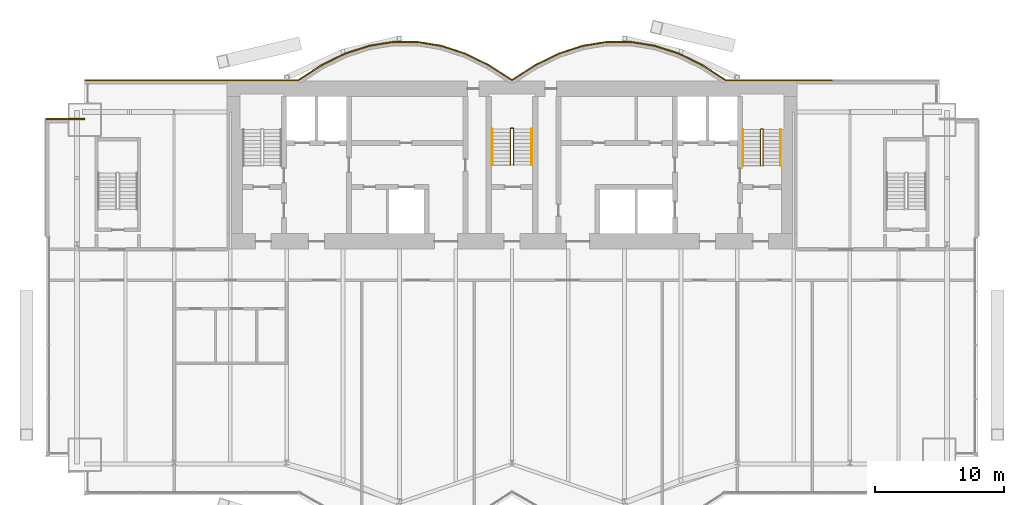
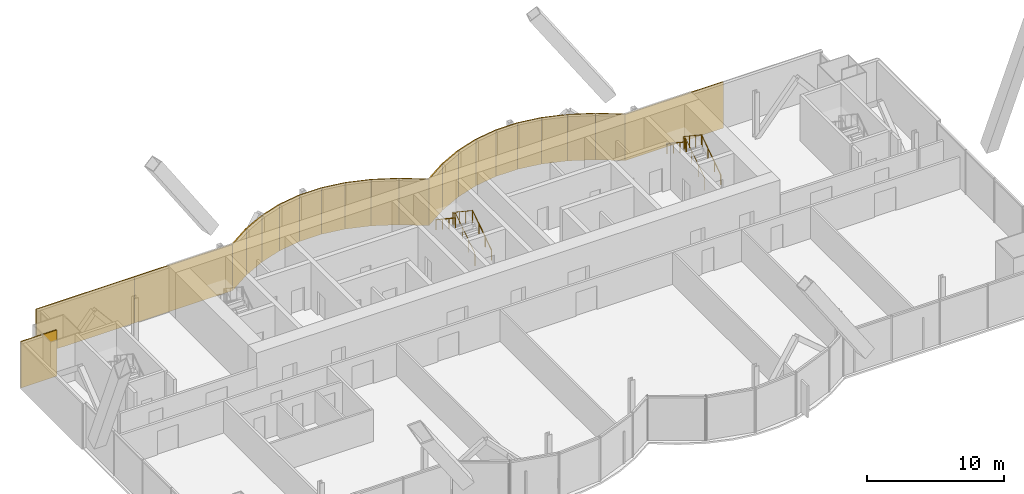
# One storey, part 23 of 24: 22 coverings, 6 railings.
"""IFC4 building model written with IfcOpenShell, lengths in metres."""

import ifcopenshell
import ifcopenshell.guid

model = None  # the IFC model being written
_history = None  # IfcOwnerHistory: only IFC2X3 demands one
_inside = {}  # id of a spatial element -> (the spatial element, [elements in it])
_under = {}  # id of a project, library or spatial element -> (it, [spatial elements below it])
_declared = {}  # id of a project -> (the project, [libraries it declares])
_typed = {}  # id of a type object -> (the type object, [elements of that type])
_made_of = {}  # id of a material, layer set ... -> (it, [elements and type objects made of it])


def new_model(schema):
    """Start an empty IFC model of exactly this schema.

    Asked for "IFC4X3", IfcOpenShell would pick the latest addendum, in which some entities
    have other attributes; the version numbers below select the first issue.
    IFC2X3 requires an IfcOwnerHistory on every rooted entity: one is made here for all.
    """
    global model, _history
    if schema == "IFC4X3":
        model = ifcopenshell.file(schema_version=(4, 3, 0, 0))
    else:
        model = ifcopenshell.file(schema=schema)
    _inside.clear()
    _under.clear()
    _declared.clear()
    _typed.clear()
    _made_of.clear()
    _history = None
    if model.schema == "IFC2X3":
        org = make("IfcOrganization", Name="unknown")
        user = make(
            "IfcPersonAndOrganization",
            ThePerson=make("IfcPerson", FamilyName="unknown"),
            TheOrganization=org,
        )
        app = make(
            "IfcApplication",
            ApplicationDeveloper=org,
            Version="unknown",
            ApplicationFullName="unknown",
            ApplicationIdentifier="unknown",
        )
        _history = make(
            "IfcOwnerHistory",
            OwningUser=user,
            OwningApplication=app,
            ChangeAction="ADDED",
            CreationDate=0,
        )
    return model


def make(cls, **values):
    """One entity of the class cls with the attributes given. An attribute that is None is left unset."""
    return model.create_entity(
        cls, **{name: value for name, value in values.items() if value is not None}
    )


def rooted(cls, **values):
    """An entity with a GlobalId (a new one), such as an element, a storey or a relation."""
    return make(cls, GlobalId=ifcopenshell.guid.new(), OwnerHistory=_history, **values)


def si_unit(unit_type, name, prefix=None):
    """IfcSIUnit, for example si_unit("LENGTHUNIT", "METRE", prefix="MILLI")."""
    return make("IfcSIUnit", UnitType=unit_type, Prefix=prefix, Name=name)


def assignment(units):
    """IfcUnitAssignment: the units of a project."""
    return None if units is None else make("IfcUnitAssignment", Units=units)


def point(xyz):
    """IfcCartesianPoint."""
    return None if xyz is None else make("IfcCartesianPoint", Coordinates=xyz)


def direction(xyz):
    """IfcDirection."""
    return None if xyz is None else make("IfcDirection", DirectionRatios=xyz)


def frame(location, z_axis=None, x_axis=None):
    """IfcAxis2Placement3D, a coordinate frame: its origin and axes. An axis left out is left unset."""
    return make(
        "IfcAxis2Placement3D",
        Location=point(location),
        Axis=direction(z_axis),
        RefDirection=direction(x_axis),
    )


def frame_2d(location, x_axis=None):
    """IfcAxis2Placement2D, a coordinate frame in the plane: its origin and x axis."""
    return make(
        "IfcAxis2Placement2D", Location=point(location), RefDirection=direction(x_axis)
    )


def origin():
    """The frame at (0, 0, 0) with its axes left unset."""
    return frame((0.0, 0.0, 0.0))


def origin_2d():
    """The frame at (0, 0) in the plane with its x axis left unset."""
    return frame_2d((0.0, 0.0))


def place(relative_to, where):
    """IfcLocalPlacement: puts the frame where relative to a parent placement (None: the world)."""
    return make(
        "IfcLocalPlacement", PlacementRelTo=relative_to, RelativePlacement=where
    )


def context(
    kind, dimensions, precision=None, world=None, true_north=None, identifier=None
):
    """IfcGeometricRepresentationContext, for example the 3D "Model" context."""
    return make(
        "IfcGeometricRepresentationContext",
        ContextIdentifier=identifier,
        ContextType=kind,
        CoordinateSpaceDimension=dimensions,
        Precision=precision,
        WorldCoordinateSystem=world,
        TrueNorth=true_north,
    )


def subcontext(parent, identifier, kind, view, scale=None):
    """IfcGeometricRepresentationSubContext, for example "Body" below "Model"."""
    return make(
        "IfcGeometricRepresentationSubContext",
        ContextIdentifier=identifier,
        ContextType=kind,
        ParentContext=parent,
        TargetScale=scale,
        TargetView=view,
    )


def project(units=None, contexts=None):
    """IfcProject with its units and contexts."""
    return rooted(
        "IfcProject",
        Name="project",
        RepresentationContexts=contexts,
        UnitsInContext=assignment(units),
    )


def spatial(cls, under=None, at=None, **own):
    """A site, building, storey or space (cls), placed at a placement, below another one or the project."""
    s = rooted(cls, ObjectPlacement=at, **own)
    if under is not None:
        _under.setdefault(under.id(), (under, []))[1].append(s)
    return s


def profile(cls, at=None, kind="AREA", **sizes):
    """A parametric profile (cls). Its sizes go by their IFC names, for example OverallWidth=200.0."""
    return make(cls, ProfileType=kind, Position=at, **sizes)


def rectangle(**sizes):
    """IfcRectangleProfileDef."""
    return profile("IfcRectangleProfileDef", **sizes)


def circle(**sizes):
    """IfcCircleProfileDef."""
    return profile("IfcCircleProfileDef", **sizes)


def extrude(swept, where, along, depth):
    """IfcExtrudedAreaSolid: the profile swept, set in the frame where, extruded along a direction by depth."""
    return make(
        "IfcExtrudedAreaSolid",
        SweptArea=swept,
        Position=where,
        ExtrudedDirection=direction(along),
        Depth=depth,
    )


def shape(context_of_items, identifier, shape_type, items):
    """IfcShapeRepresentation: the items that make up one representation, for example the "Body"."""
    return make(
        "IfcShapeRepresentation",
        ContextOfItems=context_of_items,
        RepresentationIdentifier=identifier,
        RepresentationType=shape_type,
        Items=items,
    )


def material(Name=None, Category=None):
    """IfcMaterial."""
    return make("IfcMaterial", Name=Name, Category=Category)


def layer(
    of_material, thickness, ventilated=None, Name=None, Category=None, Priority=None
):
    """IfcMaterialLayer: one layer of a wall or slab, of a material (None: an air gap)."""
    return make(
        "IfcMaterialLayer",
        Material=of_material,
        LayerThickness=thickness,
        IsVentilated=ventilated,
        Name=Name,
        Category=Category,
        Priority=Priority,
    )


def layer_set(layers, Name=None):
    """IfcMaterialLayerSet."""
    return make("IfcMaterialLayerSet", MaterialLayers=layers, LayerSetName=Name)


def made_of(thing, what):
    """Note that an element or type object is made of a material, layer set ...; save() writes the relation."""
    if what is not None:
        _made_of.setdefault(what.id(), (what, []))[1].append(thing)
    return thing


def type_object(cls, material=None, **own):
    """A type object (cls), such as IfcWallType, which elements share."""
    return made_of(rooted(cls, **own), material)


def element(
    cls,
    number,
    at=None,
    inside=None,
    cuts=None,
    type_object=None,
    material=None,
    context=None,
    identifier="Body",
    shape_type=None,
    held_by="IfcProductDefinitionShape",
    body=None,
    shapes=None,
    **own,
):
    """One element of the class cls, such as IfcWall. Its Tag is "e" and its number.

    at: its placement. inside: the storey or other place that contains it. cuts: it is an
    opening in that element (IfcRelVoidsElement). A single representation is given by context,
    identifier, shape_type and body (its items); several are given by shapes. held_by: the class
    of the entity that holds the representations. save() writes the other relations.
    """
    e = rooted(cls, Tag="e%d" % number, ObjectPlacement=at, **own)
    if body is not None:
        shapes = [shape(context, identifier, shape_type, body)]
    if shapes is not None:
        e.Representation = make(held_by, Representations=shapes)
    if inside is not None:
        _inside.setdefault(inside.id(), (inside, []))[1].append(e)
    if cuts is not None:
        rooted(
            "IfcRelVoidsElement", RelatingBuildingElement=cuts, RelatedOpeningElement=e
        )
    if type_object is not None:
        _typed.setdefault(type_object.id(), (type_object, []))[1].append(e)
    return made_of(e, material)


def aggregate(whole, parts):
    """IfcRelAggregates: a whole, such as a stair, and the parts it consists of."""
    return rooted("IfcRelAggregates", RelatingObject=whole, RelatedObjects=parts)


def save(model, path):
    """Write the relations noted so far, then the file.

    IfcRelAggregates (storeys below a building ...), IfcRelContainedInSpatialStructure (elements
    in a storey), IfcRelDefinesByType, IfcRelAssociatesMaterial and IfcRelDeclares: one each for
    every whole, place, type object, material and project.
    """
    for whole, parts in _under.values():
        aggregate(whole, parts)
    for where, things in _inside.values():
        rooted(
            "IfcRelContainedInSpatialStructure",
            RelatedElements=things,
            RelatingStructure=where,
        )
    for kind, things in _typed.values():
        rooted("IfcRelDefinesByType", RelatedObjects=things, RelatingType=kind)
    for what, things in _made_of.values():
        rooted("IfcRelAssociatesMaterial", RelatedObjects=things, RelatingMaterial=what)
    for by, libraries in _declared.values():
        rooted("IfcRelDeclares", RelatingContext=by, RelatedDefinitions=libraries)
    model.write(path)


model = new_model("IFC4")

# Units and contexts
model_context = context("Model", 3, precision=1e-05, world=origin(), true_north=direction((0.0, 1.0)))
body_context = subcontext(model_context, "Body", "Model", "MODEL_VIEW")
ifc_project = project(units=[si_unit("LENGTHUNIT", "METRE"), si_unit("AREAUNIT", "SQUARE_METRE"), si_unit("VOLUMEUNIT", "CUBIC_METRE"), si_unit("PLANEANGLEUNIT", "RADIAN"), si_unit("MASSUNIT", "GRAM", prefix="KILO")], contexts=[model_context])

# Site, building, storey
site_placement = place(None, origin())
site = spatial("IfcSite", under=ifc_project, at=site_placement, CompositionType="ELEMENT")
building_placement = place(site_placement, origin())
building = spatial("IfcBuilding", under=site, at=building_placement, Name="Bicima Exchange Tower", CompositionType="ELEMENT")
storey_placement = place(building_placement, frame((0.0, 0.0, 211.39990234375)))
storey = spatial("IfcBuildingStorey", under=building, at=storey_placement, Name="L47", CompositionType="ELEMENT", Elevation=211.39990234375)

# Coverings
ifc_material_1 = material(Name="Bronze metal cladding")
ifc_layer_1 = layer(ifc_material_1, 0.004)
ifc_material_2 = material(Name="Ventilated cavity")
ifc_layer_2 = layer(ifc_material_2, 0.06)
ifc_material_3 = material(Name="Galvanised steel rail and mineral wool", Category="steel")
ifc_layer_3 = layer(ifc_material_3, 0.036)
ifc_layer_set = layer_set([ifc_layer_1, ifc_layer_2, ifc_layer_3], Name="Ventilated cavity")
covering_type = type_object("IfcCoveringType", Name="Bronze metal cladding panel 100", PredefinedType="CLADDING", material=ifc_layer_set)
covering_1_placement = place(storey_placement, frame((20.625, 0.050048828125, -0.14990234375), z_axis=(0.0, 0.0, 1.0), x_axis=(-1.0, 0.0, 0.0)))
element("IfcCovering", 1, at=covering_1_placement, inside=storey, type_object=covering_type, Name="Bronze cladding L47 1.2", PredefinedType="CLADDING", context=body_context, shape_type="SweptSolid", body=[
    extrude(rectangle(XDim=8.25, YDim=0.10009765625, at=origin_2d()), origin(), (0.0, 0.0, 1.0), 4.10009765625),
])
covering_2_placement = place(storey_placement, frame((15.610595703125, 0.634521484375, -0.14990234375), z_axis=(0.0, 0.0, 1.0), x_axis=(-0.839790466384, 0.542910648791, 0.0)))
element("IfcCovering", 2, at=covering_2_placement, inside=storey, type_object=covering_type, Name="Bronze cladding L47 2.1", PredefinedType="CLADDING", context=body_context, shape_type="SweptSolid", body=[
    extrude(rectangle(XDim=2.18310546875, YDim=0.10009765625, at=origin_2d()), origin(), (0.0, 0.0, 1.0), 4.10009765625),
])
covering_3_placement = place(storey_placement, frame((13.771728515625, 1.674560546875, -0.14990234375), z_axis=(0.0, 0.0, 1.0), x_axis=(-0.899818346812, 0.436264762204, 0.0)))
element("IfcCovering", 3, at=covering_3_placement, inside=storey, type_object=covering_type, Name="Bronze cladding L47 3.1", PredefinedType="CLADDING", context=body_context, shape_type="SweptSolid", body=[
    extrude(rectangle(XDim=2.03759765625, YDim=0.10009765625, at=origin_2d()), origin(), (0.0, 0.0, 1.0), 4.10009765625),
])
covering_4_placement = place(storey_placement, frame((11.931884765625, 2.41796875, -0.14990234375), z_axis=(0.0, 0.0, 1.0), x_axis=(-0.951524642381, 0.307572519808, 0.0)))
element("IfcCovering", 4, at=covering_4_placement, inside=storey, type_object=covering_type, Name="Bronze cladding L47 4.1", PredefinedType="CLADDING", context=body_context, shape_type="SweptSolid", body=[
    extrude(rectangle(XDim=1.9267578125, YDim=0.10009765625, at=origin_2d()), origin(), (0.0, 0.0, 1.0), 4.10009765625),
])
covering_5_placement = place(storey_placement, frame((10.09130859375, 2.8642578125, -0.14990234375), z_axis=(0.0, 0.0, 1.0), x_axis=(-0.987189786347, 0.159550386184, 0.0)))
element("IfcCovering", 5, at=covering_5_placement, inside=storey, type_object=covering_type, Name="Bronze cladding L47 5.1", PredefinedType="CLADDING", context=body_context, shape_type="SweptSolid", body=[
    extrude(rectangle(XDim=1.857177734375, YDim=0.10009765625, at=origin_2d()), origin(), (0.0, 0.0, 1.0), 4.10009765625),
])
covering_6_placement = place(storey_placement, frame((8.25, 3.012939453125, -0.14990234375), z_axis=(0.0, 0.0, 1.0), x_axis=(-1.0, 0.0, 0.0)))
element("IfcCovering", 6, at=covering_6_placement, inside=storey, type_object=covering_type, Name="Bronze cladding L47 6.1", PredefinedType="CLADDING", context=body_context, shape_type="SweptSolid", body=[
    extrude(rectangle(XDim=1.83349609375, YDim=0.10009765625, at=origin_2d()), origin(), (0.0, 0.0, 1.0), 4.10009765625),
])
covering_7_placement = place(storey_placement, frame((6.40869140625, 2.8642578125, -0.14990234375), z_axis=(0.0, 0.0, 1.0), x_axis=(-0.987189786347, -0.159550386184, 0.0)))
element("IfcCovering", 7, at=covering_7_placement, inside=storey, type_object=covering_type, Name="Bronze cladding L47 7.1", PredefinedType="CLADDING", context=body_context, shape_type="SweptSolid", body=[
    extrude(rectangle(XDim=1.857177734375, YDim=0.10009765625, at=origin_2d()), origin(), (0.0, 0.0, 1.0), 4.10009765625),
])
covering_8_placement = place(storey_placement, frame((4.568115234375, 2.41796875, -0.14990234375), z_axis=(0.0, 0.0, 1.0), x_axis=(-0.951524642381, -0.307572519808, 0.0)))
element("IfcCovering", 8, at=covering_8_placement, inside=storey, type_object=covering_type, Name="Bronze cladding L47 8.1", PredefinedType="CLADDING", context=body_context, shape_type="SweptSolid", body=[
    extrude(rectangle(XDim=1.9267578125, YDim=0.10009765625, at=origin_2d()), origin(), (0.0, 0.0, 1.0), 4.10009765625),
])
covering_9_placement = place(storey_placement, frame((2.728271484375, 1.674560546875, -0.14990234375), z_axis=(0.0, 0.0, 1.0), x_axis=(-0.899818346812, -0.436264762204, 0.0)))
element("IfcCovering", 9, at=covering_9_placement, inside=storey, type_object=covering_type, Name="Bronze cladding L47 9.1", PredefinedType="CLADDING", context=body_context, shape_type="SweptSolid", body=[
    extrude(rectangle(XDim=2.03759765625, YDim=0.10009765625, at=origin_2d()), origin(), (0.0, 0.0, 1.0), 4.10009765625),
])
for number, where, z_axis, x_axis, name in (
    (10, (0.889404296875, 0.634521484375, -0.14990234375), (0.0, 0.0, 1.0), (-0.839790466384, -0.542910648791, 0.0), "Bronze cladding L47 10.1"),
    (11, (-0.889404296875, 0.634521484375, -0.14990234375), (0.0, 0.0, 1.0), (-0.839790466384, 0.542910648791, 0.0), "Bronze cladding L47 11.1"),
):
    element("IfcCovering", number, at=place(storey_placement, frame(where, z_axis=z_axis, x_axis=x_axis)), inside=storey, type_object=covering_type, Name=name, PredefinedType="CLADDING", context=body_context, shape_type="SweptSolid", body=[
        extrude(rectangle(XDim=2.18310546875, YDim=0.10009765625, at=origin_2d()), origin(), (0.0, 0.0, 1.0), 4.10009765625),
    ])
covering_10_placement = place(storey_placement, frame((-2.728271484375, 1.674560546875, -0.14990234375), z_axis=(0.0, 0.0, 1.0), x_axis=(-0.899818346812, 0.436264762204, 0.0)))
element("IfcCovering", 12, at=covering_10_placement, inside=storey, type_object=covering_type, Name="Bronze cladding L47 12.1", PredefinedType="CLADDING", context=body_context, shape_type="SweptSolid", body=[
    extrude(rectangle(XDim=2.03759765625, YDim=0.10009765625, at=origin_2d()), origin(), (0.0, 0.0, 1.0), 4.10009765625),
])
covering_11_placement = place(storey_placement, frame((-4.568115234375, 2.41796875, -0.14990234375), z_axis=(0.0, 0.0, 1.0), x_axis=(-0.951524642381, 0.307572519808, 0.0)))
element("IfcCovering", 13, at=covering_11_placement, inside=storey, type_object=covering_type, Name="Bronze cladding L47 13.1", PredefinedType="CLADDING", context=body_context, shape_type="SweptSolid", body=[
    extrude(rectangle(XDim=1.9267578125, YDim=0.10009765625, at=origin_2d()), origin(), (0.0, 0.0, 1.0), 4.10009765625),
])
covering_12_placement = place(storey_placement, frame((-6.40869140625, 2.8642578125, -0.14990234375), z_axis=(0.0, 0.0, 1.0), x_axis=(-0.987189786347, 0.159550386184, 0.0)))
element("IfcCovering", 14, at=covering_12_placement, inside=storey, type_object=covering_type, Name="Bronze cladding L47 14.1", PredefinedType="CLADDING", context=body_context, shape_type="SweptSolid", body=[
    extrude(rectangle(XDim=1.857177734375, YDim=0.10009765625, at=origin_2d()), origin(), (0.0, 0.0, 1.0), 4.10009765625),
])
covering_13_placement = place(storey_placement, frame((-8.25, 3.012939453125, -0.14990234375), z_axis=(0.0, 0.0, 1.0), x_axis=(-1.0, 0.0, 0.0)))
element("IfcCovering", 15, at=covering_13_placement, inside=storey, type_object=covering_type, Name="Bronze cladding L47 15.1", PredefinedType="CLADDING", context=body_context, shape_type="SweptSolid", body=[
    extrude(rectangle(XDim=1.83349609375, YDim=0.10009765625, at=origin_2d()), origin(), (0.0, 0.0, 1.0), 4.10009765625),
])
covering_14_placement = place(storey_placement, frame((-10.09130859375, 2.8642578125, -0.14990234375), z_axis=(0.0, 0.0, 1.0), x_axis=(-0.987189786347, -0.159550386184, 0.0)))
element("IfcCovering", 16, at=covering_14_placement, inside=storey, type_object=covering_type, Name="Bronze cladding L47 16.1", PredefinedType="CLADDING", context=body_context, shape_type="SweptSolid", body=[
    extrude(rectangle(XDim=1.857177734375, YDim=0.10009765625, at=origin_2d()), origin(), (0.0, 0.0, 1.0), 4.10009765625),
])
covering_15_placement = place(storey_placement, frame((-11.931884765625, 2.41796875, -0.14990234375), z_axis=(0.0, 0.0, 1.0), x_axis=(-0.951524642381, -0.307572519808, 0.0)))
element("IfcCovering", 17, at=covering_15_placement, inside=storey, type_object=covering_type, Name="Bronze cladding L47 17.1", PredefinedType="CLADDING", context=body_context, shape_type="SweptSolid", body=[
    extrude(rectangle(XDim=1.9267578125, YDim=0.10009765625, at=origin_2d()), origin(), (0.0, 0.0, 1.0), 4.10009765625),
])
covering_16_placement = place(storey_placement, frame((-13.771728515625, 1.674560546875, -0.14990234375), z_axis=(0.0, 0.0, 1.0), x_axis=(-0.899818346812, -0.436264762204, 0.0)))
element("IfcCovering", 18, at=covering_16_placement, inside=storey, type_object=covering_type, Name="Bronze cladding L47 18.1", PredefinedType="CLADDING", context=body_context, shape_type="SweptSolid", body=[
    extrude(rectangle(XDim=2.03759765625, YDim=0.10009765625, at=origin_2d()), origin(), (0.0, 0.0, 1.0), 4.10009765625),
])
covering_17_placement = place(storey_placement, frame((-15.610595703125, 0.634521484375, -0.14990234375), z_axis=(0.0, 0.0, 1.0), x_axis=(-0.839790466384, -0.542910648791, 0.0)))
element("IfcCovering", 19, at=covering_17_placement, inside=storey, type_object=covering_type, Name="Bronze cladding L47 19.1", PredefinedType="CLADDING", context=body_context, shape_type="SweptSolid", body=[
    extrude(rectangle(XDim=2.18310546875, YDim=0.10009765625, at=origin_2d()), origin(), (0.0, 0.0, 1.0), 4.10009765625),
])
for number, where, z_axis, x_axis, name in (
    (20, (-20.625, 0.050048828125, -0.14990234375), (0.0, 0.0, 1.0), (-1.0, 0.0, 0.0), "Bronze cladding L47 20.1"),
    (21, (-28.875, 0.050048828125, -0.14990234375), (0.0, 0.0, 1.0), (-1.0, 0.0, 0.0), "Bronze cladding L47 20.2"),
):
    element("IfcCovering", number, at=place(storey_placement, frame(where, z_axis=z_axis, x_axis=x_axis)), inside=storey, type_object=covering_type, Name=name, PredefinedType="CLADDING", context=body_context, shape_type="SweptSolid", body=[
        extrude(rectangle(XDim=8.25, YDim=0.10009765625, at=origin_2d()), origin(), (0.0, 0.0, 1.0), 4.10009765625),
    ])
covering_18_placement = place(storey_placement, frame((-34.5, -2.949951171875, -0.14990234375), z_axis=(0.0, 0.0, 1.0), x_axis=(-1.0, 0.0, 0.0)))
element("IfcCovering", 22, at=covering_18_placement, inside=storey, type_object=covering_type, Name="Bronze cladding L47 22.1", PredefinedType="CLADDING", context=body_context, shape_type="SweptSolid", body=[
    extrude(rectangle(XDim=3.0, YDim=0.10009765625, at=origin_2d()), origin(), (0.0, 0.0, 1.0), 4.10009765625),
])

# Railings
ifc_material_4 = material(Name="Stainless steel", Category="steel")
railing_type_1 = type_object("IfcRailingType", Name="Stair guard 1100", PredefinedType="GUARDRAIL", material=ifc_material_4)
railing_1_placement = place(storey_placement, frame((0.125, -6.5, 0.1865234375)))
element("IfcRailing", 23, at=railing_1_placement, inside=storey, type_object=railing_type_1, Name="L47 ST-C stair guard 1", PredefinedType="GUARDRAIL", context=body_context, shape_type="SweptSolid", body=[
    extrude(circle(Radius=0.02392578125, at=origin_2d()), frame((0.0, 0.0, 1.076171875), z_axis=(0.0, 0.832485552168, 0.554046753832), x_axis=(-1.0, 0.0, 0.0)), (0.0, 0.0, 1.0), 3.363525390625),
    extrude(circle(Radius=0.02392578125, at=origin_2d()), frame((0.0, 2.800048828125, 2.939453125), z_axis=(-0.707106781187, 0.707106781187, 0.0), x_axis=(-0.707106781187, -0.707106781187, 0.0)), (0.0, 0.0, 1.0), 0.07080078125),
    extrude(circle(Radius=0.02392578125, at=origin_2d()), frame((-0.050048828125, 2.85009765625, 2.939453125), z_axis=(-1.0, 0.0, 0.0), x_axis=(0.0, -1.0, 0.0)), (0.0, 0.0, 1.0), 0.14990234375),
    extrude(circle(Radius=0.02392578125, at=origin_2d()), frame((-0.199951171875, 2.85009765625, 2.939453125), z_axis=(-0.250869701741, -0.250869701741, 0.934948546978), x_axis=(0.707106781187, -0.707106781187, 0.0)), (0.0, 0.0, 1.0), 0.199462890625),
    extrude(circle(Radius=0.02392578125, at=origin_2d()), frame((-0.25, 2.800048828125, 3.1259765625), z_axis=(0.0, -0.832485552168, 0.554046753832), x_axis=(1.0, 0.0, 0.0)), (0.0, 0.0, 1.0), 3.363525390625),
    extrude(circle(Radius=0.02099609375, at=origin_2d()), origin(), (0.0, 0.0, 1.0), 1.052001953125),
    extrude(circle(Radius=0.02099609375, at=origin_2d()), frame((0.0, 0.933349609375, 0.62109375)), (0.0, 0.0, 1.0), 1.052001953125),
    extrude(circle(Radius=0.02099609375, at=origin_2d()), frame((0.0, 1.86669921875, 1.242431640625)), (0.0, 0.0, 1.0), 1.052001953125),
    extrude(circle(Radius=0.02099609375, at=origin_2d()), frame((0.0, 2.800048828125, 1.863525390625)), (0.0, 0.0, 1.0), 1.052001953125),
    extrude(circle(Radius=0.02099609375, at=origin_2d()), frame((-0.050048828125, 2.85009765625, 1.863525390625)), (0.0, 0.0, 1.0), 1.052001953125),
    extrude(circle(Radius=0.02099609375, at=origin_2d()), frame((-0.199951171875, 2.85009765625, 1.863525390625)), (0.0, 0.0, 1.0), 1.052001953125),
    extrude(circle(Radius=0.02099609375, at=origin_2d()), frame((-0.25, 2.800048828125, 2.050048828125)), (0.0, 0.0, 1.0), 1.052001953125),
    extrude(circle(Radius=0.02099609375, at=origin_2d()), frame((-0.25, 1.86669921875, 2.671142578125)), (0.0, 0.0, 1.0), 1.052001953125),
    extrude(circle(Radius=0.02099609375, at=origin_2d()), frame((-0.25, 0.933349609375, 3.29248046875)), (0.0, 0.0, 1.0), 1.052001953125),
    extrude(circle(Radius=0.02099609375, at=origin_2d()), frame((-0.25, 0.0, 3.91357421875)), (0.0, 0.0, 1.0), 1.052001953125),
])
railing_2_placement = place(storey_placement, frame((19.39990234375, -6.550048828125, 0.1865234375)))
element("IfcRailing", 24, at=railing_2_placement, inside=storey, type_object=railing_type_1, Name="L47 ST-E stair guard 1", PredefinedType="GUARDRAIL", context=body_context, shape_type="SweptSolid", body=[
    extrude(circle(Radius=0.02392578125, at=origin_2d()), frame((0.0, 0.0, 1.076171875), z_axis=(0.0, 0.832485552168, 0.554046753832), x_axis=(-1.0, 0.0, 0.0)), (0.0, 0.0, 1.0), 3.363525390625),
    extrude(circle(Radius=0.02392578125, at=origin_2d()), frame((0.0, 2.800048828125, 2.939453125), z_axis=(-0.705375805398, 0.708833529934, 0.0), x_axis=(-0.708833529934, -0.705375805398, 0.0)), (0.0, 0.0, 1.0), 0.070556640625),
    extrude(circle(Radius=0.02392578125, at=origin_2d()), frame((-0.0498046875, 2.85009765625, 2.939453125), z_axis=(-1.0, 0.0, 0.0), x_axis=(0.0, -1.0, 0.0)), (0.0, 0.0, 1.0), 0.10009765625),
    extrude(circle(Radius=0.02392578125, at=origin_2d()), frame((-0.14990234375, 2.85009765625, 2.939453125), z_axis=(-0.250869701741, -0.250869701741, 0.934948546978), x_axis=(0.707106781187, -0.707106781187, 0.0)), (0.0, 0.0, 1.0), 0.199462890625),
    extrude(circle(Radius=0.02392578125, at=origin_2d()), frame((-0.199951171875, 2.800048828125, 3.1259765625), z_axis=(0.0, -0.832485552168, 0.554046753832), x_axis=(1.0, 0.0, 0.0)), (0.0, 0.0, 1.0), 3.363525390625),
    extrude(circle(Radius=0.02099609375, at=origin_2d()), origin(), (0.0, 0.0, 1.0), 1.052001953125),
    extrude(circle(Radius=0.02099609375, at=origin_2d()), frame((0.0, 0.933349609375, 0.62109375)), (0.0, 0.0, 1.0), 1.052001953125),
    extrude(circle(Radius=0.02099609375, at=origin_2d()), frame((0.0, 1.86669921875, 1.242431640625)), (0.0, 0.0, 1.0), 1.052001953125),
    extrude(circle(Radius=0.02099609375, at=origin_2d()), frame((0.0, 2.800048828125, 1.863525390625)), (0.0, 0.0, 1.0), 1.052001953125),
    extrude(circle(Radius=0.02099609375, at=origin_2d()), frame((-0.0498046875, 2.85009765625, 1.863525390625)), (0.0, 0.0, 1.0), 1.052001953125),
    extrude(circle(Radius=0.02099609375, at=origin_2d()), frame((-0.14990234375, 2.85009765625, 1.863525390625)), (0.0, 0.0, 1.0), 1.052001953125),
    extrude(circle(Radius=0.02099609375, at=origin_2d()), frame((-0.199951171875, 2.800048828125, 2.050048828125)), (0.0, 0.0, 1.0), 1.052001953125),
    extrude(circle(Radius=0.02099609375, at=origin_2d()), frame((-0.199951171875, 1.86669921875, 2.671142578125)), (0.0, 0.0, 1.0), 1.052001953125),
    extrude(circle(Radius=0.02099609375, at=origin_2d()), frame((-0.199951171875, 0.933349609375, 3.29248046875)), (0.0, 0.0, 1.0), 1.052001953125),
    extrude(circle(Radius=0.02099609375, at=origin_2d()), frame((-0.199951171875, 0.0, 3.91357421875)), (0.0, 0.0, 1.0), 1.052001953125),
])
railing_type_2 = type_object("IfcRailingType", Name="Stair handrail 900", PredefinedType="HANDRAIL", material=ifc_material_4)
railing_3_placement = place(storey_placement, frame((1.52490234375, -6.5, 0.1865234375)))
element("IfcRailing", 25, at=railing_3_placement, inside=storey, type_object=railing_type_2, Name="L47 ST-C stair handrail 1", PredefinedType="HANDRAIL", context=body_context, shape_type="SweptSolid", body=[
    extrude(circle(Radius=0.02392578125, at=origin_2d()), frame((0.0, 0.0, 0.8759765625), z_axis=(0.0, 0.832485552168, 0.554046753832), x_axis=(-1.0, 0.0, 0.0)), (0.0, 0.0, 1.0), 3.363525390625),
    extrude(circle(Radius=0.02099609375, at=origin_2d()), origin(), (0.0, 0.0, 1.0), 0.851806640625),
    extrude(circle(Radius=0.02099609375, at=origin_2d()), frame((0.0, 0.933349609375, 0.62109375)), (0.0, 0.0, 1.0), 0.851806640625),
    extrude(circle(Radius=0.02099609375, at=origin_2d()), frame((0.0, 1.86669921875, 1.242431640625)), (0.0, 0.0, 1.0), 0.851806640625),
    extrude(circle(Radius=0.02099609375, at=origin_2d()), frame((0.0, 2.800048828125, 1.863525390625)), (0.0, 0.0, 1.0), 0.851806640625),
])
railing_4_placement = place(storey_placement, frame((-1.52490234375, -3.699951171875, 2.27685546875)))
element("IfcRailing", 26, at=railing_4_placement, inside=storey, type_object=railing_type_2, Name="L47 ST-C stair handrail 2", PredefinedType="HANDRAIL", context=body_context, shape_type="SweptSolid", body=[
    extrude(circle(Radius=0.02392578125, at=origin_2d()), frame((0.0, 0.0, 0.8759765625), z_axis=(0.0, -0.832485552168, 0.554046753832), x_axis=(1.0, 0.0, 0.0)), (0.0, 0.0, 1.0), 3.363525390625),
    extrude(circle(Radius=0.02099609375, at=origin_2d()), origin(), (0.0, 0.0, 1.0), 0.851806640625),
    extrude(circle(Radius=0.02099609375, at=origin_2d()), frame((0.0, -0.933349609375, 0.62109375)), (0.0, 0.0, 1.0), 0.851806640625),
    extrude(circle(Radius=0.02099609375, at=origin_2d()), frame((0.0, -1.86669921875, 1.242431640625)), (0.0, 0.0, 1.0), 0.851806640625),
    extrude(circle(Radius=0.02099609375, at=origin_2d()), frame((0.0, -2.800048828125, 1.863525390625)), (0.0, 0.0, 1.0), 0.851806640625),
])
railing_5_placement = place(storey_placement, frame((20.75, -6.550048828125, 0.1865234375)))
element("IfcRailing", 27, at=railing_5_placement, inside=storey, type_object=railing_type_2, Name="L47 ST-E stair handrail 1", PredefinedType="HANDRAIL", context=body_context, shape_type="SweptSolid", body=[
    extrude(circle(Radius=0.02392578125, at=origin_2d()), frame((0.0, 0.0, 0.8759765625), z_axis=(0.0, 0.832485552168, 0.554046753832), x_axis=(-1.0, 0.0, 0.0)), (0.0, 0.0, 1.0), 3.363525390625),
    extrude(circle(Radius=0.02099609375, at=origin_2d()), origin(), (0.0, 0.0, 1.0), 0.851806640625),
    extrude(circle(Radius=0.02099609375, at=origin_2d()), frame((0.0, 0.933349609375, 0.62109375)), (0.0, 0.0, 1.0), 0.851806640625),
    extrude(circle(Radius=0.02099609375, at=origin_2d()), frame((0.0, 1.86669921875, 1.242431640625)), (0.0, 0.0, 1.0), 0.851806640625),
    extrude(circle(Radius=0.02099609375, at=origin_2d()), frame((0.0, 2.800048828125, 1.863525390625)), (0.0, 0.0, 1.0), 0.851806640625),
])
railing_6_placement = place(storey_placement, frame((17.85009765625, -3.75, 2.27685546875)))
element("IfcRailing", 28, at=railing_6_placement, inside=storey, type_object=railing_type_2, Name="L47 ST-E stair handrail 2", PredefinedType="HANDRAIL", context=body_context, shape_type="SweptSolid", body=[
    extrude(circle(Radius=0.02392578125, at=origin_2d()), frame((0.0, 0.0, 0.8759765625), z_axis=(0.0, -0.832485552168, 0.554046753832), x_axis=(1.0, 0.0, 0.0)), (0.0, 0.0, 1.0), 3.363525390625),
    extrude(circle(Radius=0.02099609375, at=origin_2d()), origin(), (0.0, 0.0, 1.0), 0.851806640625),
    extrude(circle(Radius=0.02099609375, at=origin_2d()), frame((0.0, -0.933349609375, 0.62109375)), (0.0, 0.0, 1.0), 0.851806640625),
    extrude(circle(Radius=0.02099609375, at=origin_2d()), frame((0.0, -1.86669921875, 1.242431640625)), (0.0, 0.0, 1.0), 0.851806640625),
    extrude(circle(Radius=0.02099609375, at=origin_2d()), frame((0.0, -2.800048828125, 1.863525390625)), (0.0, 0.0, 1.0), 0.851806640625),
])

save(model, "model.ifc")
